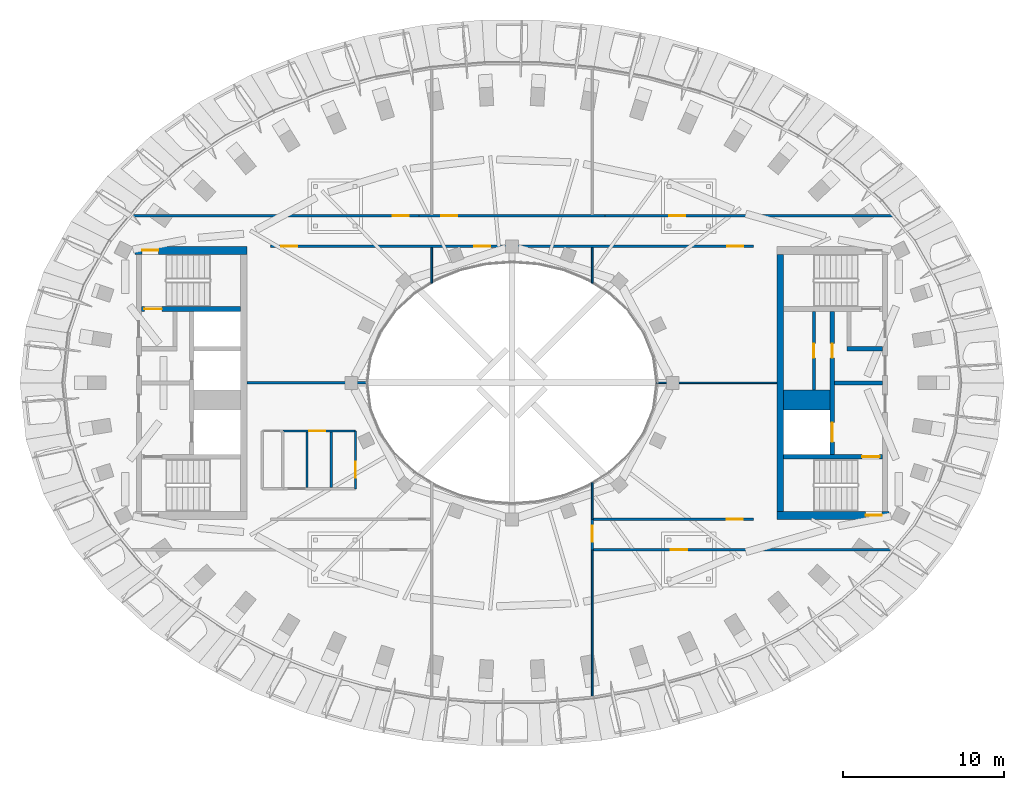
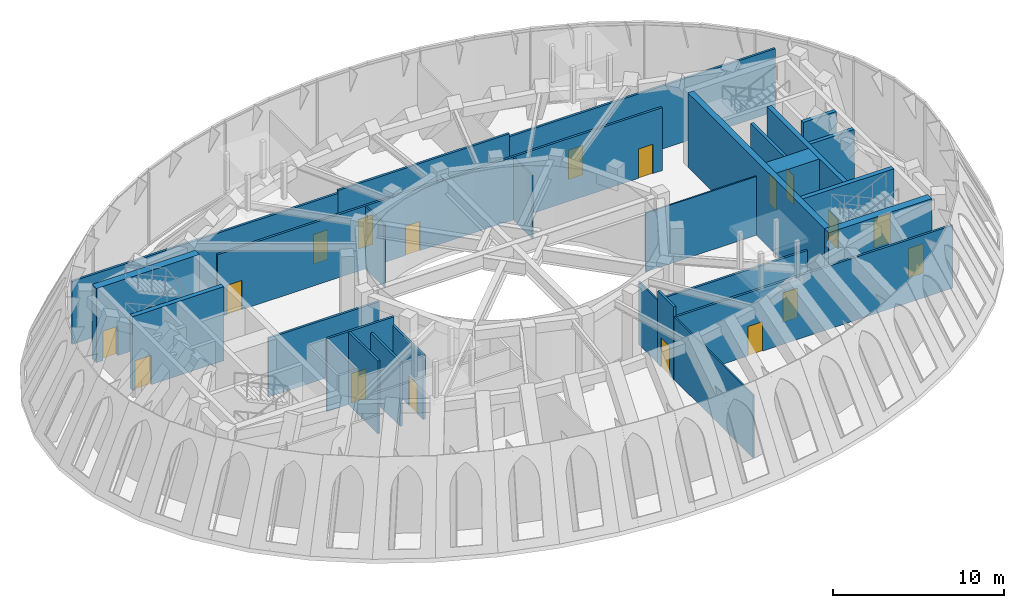
# One storey, part 4 of 13: 27 walls, 18 doors, 18 openings.
"""IFC4 building model written with IfcOpenShell, lengths in metres."""

from ifc_helpers import new_model, si_unit, direction, frame, frame_2d, origin, place, context, subcontext, project, spatial, rectangle, extrude, material, layer, layer_set, type_object, element, fill, save


model = new_model("IFC4")

# Units and contexts
model_context = context("Model", 3, precision=1e-05, world=origin(), true_north=direction((0.0, 1.0)))
body_context = subcontext(model_context, "Body", "Model", "MODEL_VIEW")
ifc_project = project(units=[si_unit("LENGTHUNIT", "METRE"), si_unit("AREAUNIT", "SQUARE_METRE"), si_unit("VOLUMEUNIT", "CUBIC_METRE"), si_unit("PLANEANGLEUNIT", "RADIAN"), si_unit("MASSUNIT", "GRAM", prefix="KILO")], contexts=[model_context])

# Site, building, storey
site_placement = place(None, origin())
site = spatial("IfcSite", under=ifc_project, at=site_placement, CompositionType="ELEMENT")
building_placement = place(site_placement, origin())
building = spatial("IfcBuilding", under=site, at=building_placement, Name="Noorbagh Ring Tower", CompositionType="ELEMENT")
storey_placement = place(building_placement, frame((0.0, 0.0, 351.0)))
storey = spatial("IfcBuildingStorey", under=building, at=storey_placement, Name="L77", CompositionType="ELEMENT", Elevation=351.0)

# Wall, opening, door
ifc_material_1 = material(Name="Gypsum board on steel studs", Category="steel")
ifc_layer_1 = layer(ifc_material_1, 0.199951171875)
ifc_layer_set_1 = layer_set([ifc_layer_1], Name="Gypsum board on steel studs")
wall_type_1 = type_object("IfcWallType", Name="CORE-PARTITION-200", PredefinedType="PARTITIONING", material=ifc_layer_set_1)
wall_1_placement = place(storey_placement, frame((18.800048828125, -0.449951171875, 0.0), z_axis=(0.0, 0.0, 1.0), x_axis=(0.0, 1.0, 0.0)))
wall_1 = element("IfcWall", 1, at=wall_1_placement, inside=storey, type_object=wall_type_1, Name="Core partition E", PredefinedType="PARTITIONING", context=body_context, shape_type="SweptSolid", body=[
    extrude(rectangle(XDim=4.89990234375, YDim=0.199951171875, at=frame_2d((2.449951171875, 0.0))), origin(), (0.0, 0.0, 1.0), 4.5),
])
opening_1_placement = place(wall_1_placement, frame((2.0, 0.0, 0.0)))
opening_1 = element("IfcOpeningElement", 2, at=opening_1_placement, cuts=wall_1, Name="Opening L77-CE10", PredefinedType="OPENING", context=body_context, shape_type="SweptSolid", body=[
    extrude(rectangle(XDim=0.89990234375, YDim=2.10009765625, at=frame_2d((0.449951171875, 1.050048828125))), frame((0.0, 0.10986328125, 0.0), z_axis=(0.0, -1.0, 0.0), x_axis=(1.0, 0.0, 0.0)), (0.0, 0.0, 1.0), 0.219970703125),
])
ifc_material_2 = material(Name="Steel door leaf", Category="steel")
door_type_1 = type_object("IfcDoorType", Name="CORE-DOOR-DROOM", OperationType="SINGLE_SWING_LEFT", PredefinedType="DOOR", material=ifc_material_2)
door_1_placement = place(opening_1_placement, origin())
door_1 = element("IfcDoor", 3, at=door_1_placement, inside=storey, type_object=door_type_1, Name="Core room door L77-CE10", OperationType="SINGLE_SWING_RIGHT", OverallHeight=2.10009765625, OverallWidth=0.89990234375, PredefinedType="DOOR", context=body_context, shape_type="SweptSolid", body=[
    extrude(rectangle(XDim=0.89990234375, YDim=2.10009765625, at=frame_2d((0.449951171875, 1.050048828125))), frame((0.0, 0.02490234375, 0.0), z_axis=(0.0, -1.0, 0.0), x_axis=(1.0, 0.0, 0.0)), (0.0, 0.0, 1.0), 0.050048828125),
])
fill(opening_1, door_1)

# Walls
ifc_material_3 = material(Name="Concrete C50/60", Category="concrete")
ifc_layer_2 = layer(ifc_material_3, 1.25)
ifc_layer_set_2 = layer_set([ifc_layer_2], Name="Concrete C50/60")
wall_type_2 = type_object("IfcWallType", Name="CORE-WALL-1250-C50-60-EI120", PredefinedType="SHEAR", material=ifc_layer_set_2)
wall_2_placement = place(storey_placement, frame((16.89990234375, -1.074951171875, 0.0), z_axis=(0.0, 0.0, 1.0), x_axis=(1.0, 0.0, 0.0)))
element("IfcWall", 4, at=wall_2_placement, inside=storey, type_object=wall_type_2, Name="Core wall E", PredefinedType="SHEAR", context=body_context, shape_type="SweptSolid", body=[
    extrude(rectangle(XDim=2.900146484375, YDim=1.25, at=frame_2d((1.4501953125, 0.0))), origin(), (0.0, 0.0, 1.0), 5.300048828125),
])
ifc_material_4 = material(Name="Concrete C50/60", Category="concrete")
ifc_layer_3 = layer(ifc_material_4, 0.25)
ifc_layer_set_3 = layer_set([ifc_layer_3], Name="Concrete C50/60")
wall_type_3 = type_object("IfcWallType", Name="CORE-WALL-250-C50-60-EI240", PredefinedType="SHEAR", material=ifc_layer_set_3)
wall_3_placement = place(storey_placement, frame((20.10009765625, 0.0, 0.0), z_axis=(0.0, 0.0, 1.0), x_axis=(1.0, 0.0, 0.0)))
element("IfcWall", 5, at=wall_3_placement, inside=storey, type_object=wall_type_3, Name="Core wall E", PredefinedType="SHEAR", context=body_context, shape_type="SweptSolid", body=[
    extrude(rectangle(XDim=2.97998046875, YDim=0.25, at=frame_2d((1.489990234375, 0.0))), origin(), (0.0, 0.0, 1.0), 5.300048828125),
])
wall_4_placement = place(storey_placement, frame((20.85009765625, 2.125, 0.0), z_axis=(0.0, 0.0, 1.0), x_axis=(1.0, 0.0, 0.0)))
element("IfcWall", 6, at=wall_4_placement, inside=storey, type_object=wall_type_3, Name="Core wall E", PredefinedType="SHEAR", context=body_context, shape_type="SweptSolid", body=[
    extrude(rectangle(XDim=2.22998046875, YDim=0.25, at=frame_2d((1.114990234375, 0.0))), origin(), (0.0, 0.0, 1.0), 5.300048828125),
])

# Wall, openings, doors
ifc_material_5 = material(Name="Concrete C50/60", Category="concrete")
ifc_layer_4 = layer(ifc_material_5, 0.300048828125)
ifc_layer_set_4 = layer_set([ifc_layer_4], Name="Concrete C50/60")
wall_type_4 = type_object("IfcWallType", Name="CORE-WALL-300-C50-60-EI120", PredefinedType="SHEAR", material=ifc_layer_set_4)
wall_5_placement = place(storey_placement, frame((19.949951171875, -4.449951171875, 0.0), z_axis=(0.0, 0.0, 1.0), x_axis=(0.0, 1.0, 0.0)))
wall_5 = element("IfcWall", 7, at=wall_5_placement, inside=storey, type_object=wall_type_4, Name="Core wall E", PredefinedType="SHEAR", context=body_context, shape_type="SweptSolid", body=[
    extrude(rectangle(XDim=8.89990234375, YDim=0.300048828125, at=frame_2d((4.449951171875, 0.0))), origin(), (0.0, 0.0, 1.0), 5.300048828125),
])
opening_2_placement = place(wall_5_placement, frame((0.77490234375, 0.0, 0.0)))
opening_2 = element("IfcOpeningElement", 8, at=opening_2_placement, cuts=wall_5, Name="Opening L77-CE01", PredefinedType="OPENING", context=body_context, shape_type="SweptSolid", body=[
    extrude(rectangle(XDim=1.199951171875, YDim=2.10009765625, at=frame_2d((0.60009765625, 1.050048828125))), frame((0.0, 0.16015625, 0.0), z_axis=(0.0, -1.0, 0.0), x_axis=(1.0, 0.0, 0.0)), (0.0, 0.0, 1.0), 0.320068359375),
])
opening_3_placement = place(wall_5_placement, frame((6.0, 0.0, 0.0)))
opening_3 = element("IfcOpeningElement", 9, at=opening_3_placement, cuts=wall_5, Name="Opening L77-CE09", PredefinedType="OPENING", context=body_context, shape_type="SweptSolid", body=[
    extrude(rectangle(XDim=0.89990234375, YDim=2.10009765625, at=frame_2d((0.449951171875, 1.050048828125))), frame((0.0, 0.16015625, 0.0), z_axis=(0.0, -1.0, 0.0), x_axis=(1.0, 0.0, 0.0)), (0.0, 0.0, 1.0), 0.320068359375),
])
door_2_placement = place(opening_3_placement, origin())
door_2 = element("IfcDoor", 10, at=door_2_placement, inside=storey, type_object=door_type_1, Name="Core room door L77-CE09", OperationType="SINGLE_SWING_RIGHT", OverallHeight=2.10009765625, OverallWidth=0.89990234375, PredefinedType="DOOR", context=body_context, shape_type="SweptSolid", body=[
    extrude(rectangle(XDim=0.89990234375, YDim=2.10009765625, at=frame_2d((0.449951171875, 1.050048828125))), frame((0.0, 0.02490234375, 0.0), z_axis=(0.0, -1.0, 0.0), x_axis=(1.0, 0.0, 0.0)), (0.0, 0.0, 1.0), 0.050048828125),
])
fill(opening_3, door_2)
ifc_material_6 = material(Name="Steel door leaf", Category="steel")
door_type_2 = type_object("IfcDoorType", Name="CORE-DOOR-LDW", OperationType="DOUBLE_DOOR_SLIDING", PredefinedType="DOOR", material=ifc_material_6)
door_3_placement = place(opening_2_placement, origin())
door_3 = element("IfcDoor", 11, at=door_3_placement, inside=storey, type_object=door_type_2, Name="Landing door FF2 L77-CE01", OperationType="DOUBLE_DOOR_SLIDING", OverallHeight=2.10009765625, OverallWidth=1.199951171875, PredefinedType="DOOR", context=body_context, shape_type="SweptSolid", body=[
    extrude(rectangle(XDim=1.199951171875, YDim=2.10009765625, at=frame_2d((0.60009765625, 1.050048828125))), frame((0.0, 0.02490234375, 0.0), z_axis=(0.0, -1.0, 0.0), x_axis=(1.0, 0.0, 0.0)), (0.0, 0.0, 1.0), 0.050048828125),
])
fill(opening_2, door_3)

# Wall, opening, door
ifc_material_7 = material(Name="Concrete C50/60", Category="concrete")
ifc_layer_5 = layer(ifc_material_7, 0.300048828125)
ifc_layer_set_5 = layer_set([ifc_layer_5], Name="Concrete C50/60")
wall_type_5 = type_object("IfcWallType", Name="CORE-WALL-300-C50-60-EI240", PredefinedType="SHEAR", material=ifc_layer_set_5)
wall_6_placement = place(storey_placement, frame((-16.89990234375, 4.60009765625, 0.0), z_axis=(0.0, 0.0, 1.0), x_axis=(-1.0, 0.0, 0.0)))
wall_6 = element("IfcWall", 12, at=wall_6_placement, inside=storey, type_object=wall_type_5, Name="Core wall W", PredefinedType="SHEAR", context=body_context, shape_type="SweptSolid", body=[
    extrude(rectangle(XDim=6.18017578125, YDim=0.300048828125, at=frame_2d((3.090087890625, 0.0))), origin(), (0.0, 0.0, 1.0), 5.300048828125),
])
opening_4_placement = place(wall_6_placement, frame((4.89990234375, 0.0, 0.0)))
opening_4 = element("IfcOpeningElement", 13, at=opening_4_placement, cuts=wall_6, Name="Opening L77-CW03", PredefinedType="OPENING", context=body_context, shape_type="SweptSolid", body=[
    extrude(rectangle(XDim=1.10009765625, YDim=2.10009765625, at=frame_2d((0.550048828125, 1.050048828125))), frame((0.0, 0.16015625, 0.0), z_axis=(0.0, -1.0, 0.0), x_axis=(1.0, 0.0, 0.0)), (0.0, 0.0, 1.0), 0.320068359375),
])
ifc_material_8 = material(Name="Steel door leaf", Category="steel")
door_type_3 = type_object("IfcDoorType", Name="CORE-DOOR-DSTAIR", OperationType="SINGLE_SWING_LEFT", PredefinedType="DOOR", material=ifc_material_8)
door_4_placement = place(opening_4_placement, origin())
door_4 = element("IfcDoor", 14, at=door_4_placement, inside=storey, type_object=door_type_3, Name="Stair door ST1 L77-CW03", OperationType="SINGLE_SWING_RIGHT", OverallHeight=2.10009765625, OverallWidth=1.10009765625, PredefinedType="DOOR", context=body_context, shape_type="SweptSolid", body=[
    extrude(rectangle(XDim=1.10009765625, YDim=2.10009765625, at=frame_2d((0.550048828125, 1.050048828125))), frame((0.0, 0.02490234375, 0.0), z_axis=(0.0, -1.0, 0.0), x_axis=(1.0, 0.0, 0.0)), (0.0, 0.0, 1.0), 0.050048828125),
])
fill(opening_4, door_4)

wall_7_placement = place(storey_placement, frame((16.89990234375, -4.60009765625, 0.0), z_axis=(0.0, 0.0, 1.0), x_axis=(1.0, 0.0, 0.0)))
wall_7 = element("IfcWall", 15, at=wall_7_placement, inside=storey, type_object=wall_type_5, Name="Core wall E", PredefinedType="SHEAR", context=body_context, shape_type="SweptSolid", body=[
    extrude(rectangle(XDim=6.18017578125, YDim=0.300048828125, at=frame_2d((3.090087890625, 0.0))), origin(), (0.0, 0.0, 1.0), 5.300048828125),
])
opening_5_placement = place(wall_7_placement, frame((4.89990234375, 0.0, 0.0)))
opening_5 = element("IfcOpeningElement", 16, at=opening_5_placement, cuts=wall_7, Name="Opening L77-CE03", PredefinedType="OPENING", context=body_context, shape_type="SweptSolid", body=[
    extrude(rectangle(XDim=1.10009765625, YDim=2.10009765625, at=frame_2d((0.550048828125, 1.050048828125))), frame((0.0, 0.16015625, 0.0), z_axis=(0.0, -1.0, 0.0), x_axis=(1.0, 0.0, 0.0)), (0.0, 0.0, 1.0), 0.320068359375),
])
door_5_placement = place(opening_5_placement, origin())
door_5 = element("IfcDoor", 17, at=door_5_placement, inside=storey, type_object=door_type_3, Name="Stair door ST4 L77-CE03", OperationType="SINGLE_SWING_RIGHT", OverallHeight=2.10009765625, OverallWidth=1.10009765625, PredefinedType="DOOR", context=body_context, shape_type="SweptSolid", body=[
    extrude(rectangle(XDim=1.10009765625, YDim=2.10009765625, at=frame_2d((0.550048828125, 1.050048828125))), frame((0.0, 0.02490234375, 0.0), z_axis=(0.0, -1.0, 0.0), x_axis=(1.0, 0.0, 0.0)), (0.0, 0.0, 1.0), 0.050048828125),
])
fill(opening_5, door_5)

# Wall
ifc_material_9 = material(Name="Concrete C50/60", Category="concrete")
ifc_layer_6 = layer(ifc_material_9, 0.39990234375)
ifc_layer_set_6 = layer_set([ifc_layer_6], Name="Concrete C50/60")
wall_type_6 = type_object("IfcWallType", Name="CORE-WALL-400-C50-60-EI240", PredefinedType="SHEAR", material=ifc_layer_set_6)
wall_8_placement = place(storey_placement, frame((16.699951171875, -8.0, 0.0), z_axis=(0.0, 0.0, 1.0), x_axis=(0.0, 1.0, 0.0)))
element("IfcWall", 18, at=wall_8_placement, inside=storey, type_object=wall_type_6, Name="Core wall E", PredefinedType="SHEAR", context=body_context, shape_type="SweptSolid", body=[
    extrude(rectangle(XDim=16.0, YDim=0.39990234375, at=frame_2d((8.0, 0.0))), origin(), (0.0, 0.0, 1.0), 5.300048828125),
])

# Wall, opening, door
ifc_material_10 = material(Name="Concrete C50/60", Category="concrete")
ifc_layer_7 = layer(ifc_material_10, 0.5)
ifc_layer_set_7 = layer_set([ifc_layer_7], Name="Concrete C50/60")
wall_type_7 = type_object("IfcWallType", Name="CORE-WALL-500-C50-60-EI240", PredefinedType="SHEAR", material=ifc_layer_set_7)
wall_9_placement = place(storey_placement, frame((-16.5, 8.25, 0.0), z_axis=(0.0, 0.0, 1.0), x_axis=(-1.0, 0.0, 0.0)))
wall_9 = element("IfcWall", 19, at=wall_9_placement, inside=storey, type_object=wall_type_7, Name="Core wall W", PredefinedType="SHEAR", context=body_context, shape_type="SweptSolid", body=[
    extrude(rectangle(XDim=6.9814453125, YDim=0.5, at=frame_2d((3.49072265625, 0.0))), origin(), (0.0, 0.0, 1.0), 5.300048828125),
])
opening_6_placement = place(wall_9_placement, frame((5.530029296875, 0.0, 0.0)))
opening_6 = element("IfcOpeningElement", 20, at=opening_6_placement, cuts=wall_9, Name="Opening L77-CW08", PredefinedType="OPENING", context=body_context, shape_type="SweptSolid", body=[
    extrude(rectangle(XDim=1.0, YDim=2.10009765625, at=frame_2d((0.5, 1.050048828125))), frame((0.0, 0.260009765625, 0.0), z_axis=(0.0, -1.0, 0.0), x_axis=(1.0, 0.0, 0.0)), (0.0, 0.0, 1.0), 0.52001953125),
])
ifc_material_11 = material(Name="Steel door leaf", Category="steel")
door_type_4 = type_object("IfcDoorType", Name="CORE-DOOR-DFLANK", OperationType="SINGLE_SWING_LEFT", PredefinedType="DOOR", material=ifc_material_11)
door_6_placement = place(opening_6_placement, origin())
door_6 = element("IfcDoor", 21, at=door_6_placement, inside=storey, type_object=door_type_4, Name="Stair door ST1 (floor side) L77-CW08", OperationType="SINGLE_SWING_LEFT", OverallHeight=2.10009765625, OverallWidth=1.0, PredefinedType="DOOR", context=body_context, shape_type="SweptSolid", body=[
    extrude(rectangle(XDim=1.0, YDim=2.10009765625, at=frame_2d((0.5, 1.050048828125))), frame((0.0, 0.02490234375, 0.0), z_axis=(0.0, -1.0, 0.0), x_axis=(1.0, 0.0, 0.0)), (0.0, 0.0, 1.0), 0.050048828125),
])
fill(opening_6, door_6)

wall_10_placement = place(storey_placement, frame((16.5, -8.25, 0.0), z_axis=(0.0, 0.0, 1.0), x_axis=(1.0, 0.0, 0.0)))
wall_10 = element("IfcWall", 22, at=wall_10_placement, inside=storey, type_object=wall_type_7, Name="Core wall E", PredefinedType="SHEAR", context=body_context, shape_type="SweptSolid", body=[
    extrude(rectangle(XDim=6.9814453125, YDim=0.5, at=frame_2d((3.49072265625, 0.0))), origin(), (0.0, 0.0, 1.0), 5.300048828125),
])
opening_7_placement = place(wall_10_placement, frame((5.530029296875, 0.0, 0.0)))
opening_7 = element("IfcOpeningElement", 23, at=opening_7_placement, cuts=wall_10, Name="Opening L77-CE08", PredefinedType="OPENING", context=body_context, shape_type="SweptSolid", body=[
    extrude(rectangle(XDim=1.0, YDim=2.10009765625, at=frame_2d((0.5, 1.050048828125))), frame((0.0, 0.260009765625, 0.0), z_axis=(0.0, -1.0, 0.0), x_axis=(1.0, 0.0, 0.0)), (0.0, 0.0, 1.0), 0.52001953125),
])
door_7_placement = place(opening_7_placement, origin())
door_7 = element("IfcDoor", 24, at=door_7_placement, inside=storey, type_object=door_type_4, Name="Stair door ST4 (floor side) L77-CE08", OperationType="SINGLE_SWING_LEFT", OverallHeight=2.10009765625, OverallWidth=1.0, PredefinedType="DOOR", context=body_context, shape_type="SweptSolid", body=[
    extrude(rectangle(XDim=1.0, YDim=2.10009765625, at=frame_2d((0.5, 1.050048828125))), frame((0.0, 0.02490234375, 0.0), z_axis=(0.0, -1.0, 0.0), x_axis=(1.0, 0.0, 0.0)), (0.0, 0.0, 1.0), 0.050048828125),
])
fill(opening_7, door_7)

ifc_material_12 = material(Name="Gypsum board on steel studs", Category="steel")
ifc_layer_8 = layer(ifc_material_12, 0.14990234375)
ifc_layer_set_8 = layer_set([ifc_layer_8], Name="Gypsum board on steel studs")
wall_type_8 = type_object("IfcWallType", Name="CORRIDOR PARTITION 150 EI 30", PredefinedType="PARTITIONING", material=ifc_layer_set_8)
wall_11_placement = place(storey_placement, frame((-23.77001953125, 10.39990234375, 0.0), z_axis=(0.0, 0.0, 1.0), x_axis=(1.0, 0.0, 0.0)))
wall_11 = element("IfcWall", 25, at=wall_11_placement, inside=storey, type_object=wall_type_8, Name="L77/wall/P02", PredefinedType="PARTITIONING", context=body_context, shape_type="SweptSolid", body=[
    extrude(rectangle(XDim=17.97998046875, YDim=0.14990234375, at=frame_2d((8.989990234375, 0.0))), origin(), (0.0, 0.0, 1.0), 4.5),
])
opening_8_placement = place(wall_11_placement, frame((16.330078125, 0.0, 0.0)))
opening_8 = element("IfcOpeningElement", 26, at=opening_8_placement, cuts=wall_11, Name="Opening D1", PredefinedType="OPENING", context=body_context, shape_type="SweptSolid", body=[
    extrude(rectangle(XDim=1.0, YDim=2.10009765625, at=frame_2d((0.5, 1.050048828125))), frame((0.0, 0.0849609375, 0.0), z_axis=(0.0, -1.0, 0.0), x_axis=(1.0, 0.0, 0.0)), (0.0, 0.0, 1.0), 0.169921875),
])
ifc_material_13 = material(Name="Timber, painted", Category="wood")
door_type_5 = type_object("IfcDoorType", Name="DOOR 1000 X 2100 FD30", OperationType="SINGLE_SWING_LEFT", PredefinedType="DOOR", material=ifc_material_13)
door_8_placement = place(opening_8_placement, origin())
door_8 = element("IfcDoor", 27, at=door_8_placement, inside=storey, type_object=door_type_5, Name="L77-D13", OperationType="SINGLE_SWING_LEFT", OverallHeight=2.10009765625, OverallWidth=1.0, PredefinedType="DOOR", context=body_context, shape_type="SweptSolid", body=[
    extrude(rectangle(XDim=1.0, YDim=2.10009765625, at=frame_2d((0.5, 1.050048828125))), frame((0.0, 0.02490234375, 0.0), z_axis=(0.0, -1.0, 0.0), x_axis=(1.0, 0.0, 0.0)), (0.0, 0.0, 1.0), 0.050048828125),
])
fill(opening_8, door_8)

# Wall
wall_12_placement = place(storey_placement, frame((-16.5, 0.0, 0.0), z_axis=(0.0, 0.0, 1.0), x_axis=(1.0, 0.0, 0.0)))
element("IfcWall", 28, at=wall_12_placement, inside=storey, type_object=wall_type_8, Name="L77/wall/P03", PredefinedType="PARTITIONING", context=body_context, shape_type="SweptSolid", body=[
    extrude(rectangle(XDim=7.4951171875, YDim=0.14990234375, at=frame_2d((3.74755859375, 0.0))), origin(), (0.0, 0.0, 1.0), 4.199951171875),
])

# Wall, openings, doors
wall_13_placement = place(storey_placement, frame((-15.035888671875, 8.5, 0.0), z_axis=(0.0, 0.0, 1.0), x_axis=(1.0, 0.0, 0.0)))
wall_13 = element("IfcWall", 29, at=wall_13_placement, inside=storey, type_object=wall_type_8, Name="L77/wall/P08", PredefinedType="PARTITIONING", context=body_context, shape_type="SweptSolid", body=[
    extrude(rectangle(XDim=30.07177734375, YDim=0.14990234375, at=frame_2d((15.035888671875, 0.0))), origin(), (0.0, 0.0, 1.0), 4.5),
])
opening_9_placement = place(wall_13_placement, frame((0.64990234375, 0.0, 0.0)))
opening_9 = element("IfcOpeningElement", 30, at=opening_9_placement, cuts=wall_13, Name="Opening D1", PredefinedType="OPENING", context=body_context, shape_type="SweptSolid", body=[
    extrude(rectangle(XDim=1.0, YDim=2.10009765625, at=frame_2d((0.5, 1.050048828125))), frame((0.0, 0.0849609375, 0.0), z_axis=(0.0, -1.0, 0.0), x_axis=(1.0, 0.0, 0.0)), (0.0, 0.0, 1.0), 0.169921875),
])
opening_10_placement = place(wall_13_placement, frame((12.68603515625, 0.0, 0.0)))
opening_10 = element("IfcOpeningElement", 31, at=opening_10_placement, cuts=wall_13, Name="Opening D1", PredefinedType="OPENING", context=body_context, shape_type="SweptSolid", body=[
    extrude(rectangle(XDim=1.0, YDim=2.10009765625, at=frame_2d((0.5, 1.050048828125))), frame((0.0, 0.0849609375, 0.0), z_axis=(0.0, -1.0, 0.0), x_axis=(1.0, 0.0, 0.0)), (0.0, 0.0, 1.0), 0.169921875),
])
opening_11_placement = place(wall_13_placement, frame((28.43603515625, 0.0, 0.0)))
opening_11 = element("IfcOpeningElement", 32, at=opening_11_placement, cuts=wall_13, Name="Opening D1", PredefinedType="OPENING", context=body_context, shape_type="SweptSolid", body=[
    extrude(rectangle(XDim=1.0, YDim=2.10009765625, at=frame_2d((0.5, 1.050048828125))), frame((0.0, 0.0849609375, 0.0), z_axis=(0.0, -1.0, 0.0), x_axis=(1.0, 0.0, 0.0)), (0.0, 0.0, 1.0), 0.169921875),
])
door_9_placement = place(opening_9_placement, origin())
door_9 = element("IfcDoor", 33, at=door_9_placement, inside=storey, type_object=door_type_5, Name="L77-D07", OperationType="SINGLE_SWING_LEFT", OverallHeight=2.10009765625, OverallWidth=1.0, PredefinedType="DOOR", context=body_context, shape_type="SweptSolid", body=[
    extrude(rectangle(XDim=1.0, YDim=2.10009765625, at=frame_2d((0.5, 1.050048828125))), frame((0.0, 0.02490234375, 0.0), z_axis=(0.0, -1.0, 0.0), x_axis=(1.0, 0.0, 0.0)), (0.0, 0.0, 1.0), 0.050048828125),
])
fill(opening_9, door_9)
door_10_placement = place(opening_10_placement, origin())
door_10 = element("IfcDoor", 34, at=door_10_placement, inside=storey, type_object=door_type_5, Name="L77-D09", OperationType="SINGLE_SWING_LEFT", OverallHeight=2.10009765625, OverallWidth=1.0, PredefinedType="DOOR", context=body_context, shape_type="SweptSolid", body=[
    extrude(rectangle(XDim=1.0, YDim=2.10009765625, at=frame_2d((0.5, 1.050048828125))), frame((0.0, 0.02490234375, 0.0), z_axis=(0.0, -1.0, 0.0), x_axis=(1.0, 0.0, 0.0)), (0.0, 0.0, 1.0), 0.050048828125),
])
fill(opening_10, door_10)
door_11_placement = place(opening_11_placement, origin())
door_11 = element("IfcDoor", 35, at=door_11_placement, inside=storey, type_object=door_type_5, Name="L77-D12", OperationType="SINGLE_SWING_RIGHT", OverallHeight=2.10009765625, OverallWidth=1.0, PredefinedType="DOOR", context=body_context, shape_type="SweptSolid", body=[
    extrude(rectangle(XDim=1.0, YDim=2.10009765625, at=frame_2d((0.5, 1.050048828125))), frame((0.0, 0.02490234375, 0.0), z_axis=(0.0, -1.0, 0.0), x_axis=(1.0, 0.0, 0.0)), (0.0, 0.0, 1.0), 0.050048828125),
])
fill(opening_11, door_11)

# Wall, opening, door
wall_14_placement = place(storey_placement, frame((-14.27294921875, -3.0, 0.0), z_axis=(0.0, 0.0, 1.0), x_axis=(1.0, 0.0, 0.0)))
wall_14 = element("IfcWall", 36, at=wall_14_placement, inside=storey, type_object=wall_type_8, Name="L77/wall/P11", PredefinedType="PARTITIONING", context=body_context, shape_type="SweptSolid", body=[
    extrude(rectangle(XDim=4.52001953125, YDim=0.14990234375, at=frame_2d((2.260009765625, 0.0))), origin(), (0.0, 0.0, 1.0), 5.199951171875),
])
opening_12_placement = place(wall_14_placement, frame((1.657958984375, 0.0, 0.0)))
opening_12 = element("IfcOpeningElement", 37, at=opening_12_placement, cuts=wall_14, Name="Opening D3", PredefinedType="OPENING", context=body_context, shape_type="SweptSolid", body=[
    extrude(rectangle(XDim=1.0, YDim=2.10009765625, at=frame_2d((0.5, 1.050048828125))), frame((0.0, 0.0849609375, 0.0), z_axis=(0.0, -1.0, 0.0), x_axis=(1.0, 0.0, 0.0)), (0.0, 0.0, 1.0), 0.169921875),
])
ifc_material_14 = material(Name="Timber, painted", Category="wood")
door_type_6 = type_object("IfcDoorType", Name="DOOR 1000 X 2100 WC", OperationType="SINGLE_SWING_LEFT", PredefinedType="DOOR", material=ifc_material_14)
door_12_placement = place(opening_12_placement, origin())
door_12 = element("IfcDoor", 38, at=door_12_placement, inside=storey, type_object=door_type_6, Name="L77-D03", OperationType="SINGLE_SWING_LEFT", OverallHeight=2.10009765625, OverallWidth=1.0, PredefinedType="DOOR", context=body_context, shape_type="SweptSolid", body=[
    extrude(rectangle(XDim=1.0, YDim=2.10009765625, at=frame_2d((0.5, 1.050048828125))), frame((0.0, 0.02490234375, 0.0), z_axis=(0.0, -1.0, 0.0), x_axis=(1.0, 0.0, 0.0)), (0.0, 0.0, 1.0), 0.050048828125),
])
fill(opening_12, door_12)

# Walls
wall_15_placement = place(storey_placement, frame((-12.764892578125, -6.52490234375, 0.0), z_axis=(0.0, 0.0, 1.0), x_axis=(0.0, 1.0, 0.0)))
element("IfcWall", 39, at=wall_15_placement, inside=storey, type_object=wall_type_8, Name="L77/wall/P12", PredefinedType="PARTITIONING", context=body_context, shape_type="SweptSolid", body=[
    extrude(rectangle(XDim=3.449951171875, YDim=0.14990234375, at=frame_2d((1.72509765625, 0.0))), origin(), (0.0, 0.0, 1.0), 5.199951171875),
])
wall_16_placement = place(storey_placement, frame((-11.257080078125, -6.52490234375, 0.0), z_axis=(0.0, 0.0, 1.0), x_axis=(0.0, 1.0, 0.0)))
element("IfcWall", 40, at=wall_16_placement, inside=storey, type_object=wall_type_8, Name="L77/wall/P13", PredefinedType="PARTITIONING", context=body_context, shape_type="SweptSolid", body=[
    extrude(rectangle(XDim=3.449951171875, YDim=0.14990234375, at=frame_2d((1.72509765625, 0.0))), origin(), (0.0, 0.0, 1.0), 4.60009765625),
])

# Wall, opening, door
wall_17_placement = place(storey_placement, frame((-9.7490234375, -6.60009765625, 0.0), z_axis=(0.0, 0.0, 1.0), x_axis=(0.0, 1.0, 0.0)))
wall_17 = element("IfcWall", 41, at=wall_17_placement, inside=storey, type_object=wall_type_8, Name="L77/wall/P14", PredefinedType="PARTITIONING", context=body_context, shape_type="SweptSolid", body=[
    extrude(rectangle(XDim=3.59619140625, YDim=0.14990234375, at=frame_2d((1.798095703125, 0.0))), origin(), (0.0, 0.0, 1.0), 4.60009765625),
])
opening_13_placement = place(wall_17_placement, frame((0.696044921875, 0.0, 0.0)))
opening_13 = element("IfcOpeningElement", 42, at=opening_13_placement, cuts=wall_17, Name="Opening D3", PredefinedType="OPENING", context=body_context, shape_type="SweptSolid", body=[
    extrude(rectangle(XDim=1.0, YDim=2.10009765625, at=frame_2d((0.5, 1.050048828125))), frame((0.0, 0.0849609375, 0.0), z_axis=(0.0, -1.0, 0.0), x_axis=(1.0, 0.0, 0.0)), (0.0, 0.0, 1.0), 0.169921875),
])
door_13_placement = place(opening_13_placement, origin())
door_13 = element("IfcDoor", 43, at=door_13_placement, inside=storey, type_object=door_type_6, Name="L77-D02", OperationType="SINGLE_SWING_RIGHT", OverallHeight=2.10009765625, OverallWidth=1.0, PredefinedType="DOOR", context=body_context, shape_type="SweptSolid", body=[
    extrude(rectangle(XDim=1.0, YDim=2.10009765625, at=frame_2d((0.5, 1.050048828125))), frame((0.0, 0.02490234375, 0.0), z_axis=(0.0, -1.0, 0.0), x_axis=(1.0, 0.0, 0.0)), (0.0, 0.0, 1.0), 0.050048828125),
])
fill(opening_13, door_13)

wall_18_placement = place(storey_placement, frame((-5.7900390625, 10.409912109375, 0.0), z_axis=(0.0, 0.0, 1.0), x_axis=(1.0, 0.0, 0.0)))
wall_18 = element("IfcWall", 44, at=wall_18_placement, inside=storey, type_object=wall_type_8, Name="L77/wall/P15", PredefinedType="PARTITIONING", context=body_context, shape_type="SweptSolid", body=[
    extrude(rectangle(XDim=11.580078125, YDim=0.14990234375, at=frame_2d((5.7900390625, 0.0))), origin(), (0.0, 0.0, 1.0), 4.699951171875),
])
opening_14_placement = place(wall_18_placement, frame((1.389892578125, 0.0, 0.0)))
opening_14 = element("IfcOpeningElement", 45, at=opening_14_placement, cuts=wall_18, Name="Opening D1", PredefinedType="OPENING", context=body_context, shape_type="SweptSolid", body=[
    extrude(rectangle(XDim=1.0, YDim=2.10009765625, at=frame_2d((0.5, 1.050048828125))), frame((0.0, 0.0849609375, 0.0), z_axis=(0.0, -1.0, 0.0), x_axis=(1.0, 0.0, 0.0)), (0.0, 0.0, 1.0), 0.169921875),
])
door_14_placement = place(opening_14_placement, origin())
door_14 = element("IfcDoor", 46, at=door_14_placement, inside=storey, type_object=door_type_5, Name="L77-D14", OperationType="SINGLE_SWING_RIGHT", OverallHeight=2.10009765625, OverallWidth=1.0, PredefinedType="DOOR", context=body_context, shape_type="SweptSolid", body=[
    extrude(rectangle(XDim=1.0, YDim=2.10009765625, at=frame_2d((0.5, 1.050048828125))), frame((0.0, 0.02490234375, 0.0), z_axis=(0.0, -1.0, 0.0), x_axis=(1.0, 0.0, 0.0)), (0.0, 0.0, 1.0), 0.050048828125),
])
fill(opening_14, door_14)

wall_19_placement = place(storey_placement, frame((5.0, -10.39990234375, 0.0), z_axis=(0.0, 0.0, 1.0), x_axis=(0.0, 1.0, 0.0)))
wall_19 = element("IfcWall", 47, at=wall_19_placement, inside=storey, type_object=wall_type_8, Name="L77/wall/P21", PredefinedType="PARTITIONING", context=body_context, shape_type="SweptSolid", body=[
    extrude(rectangle(XDim=1.89990234375, YDim=0.14990234375, at=frame_2d((0.949951171875, 0.0))), origin(), (0.0, 0.0, 1.0), 5.199951171875),
])
opening_15_placement = place(wall_19_placement, frame((0.5, 0.0, 0.0)))
opening_15 = element("IfcOpeningElement", 48, at=opening_15_placement, cuts=wall_19, Name="Opening D1", PredefinedType="OPENING", context=body_context, shape_type="SweptSolid", body=[
    extrude(rectangle(XDim=1.0, YDim=2.10009765625, at=frame_2d((0.5, 1.050048828125))), frame((0.0, 0.0849609375, 0.0), z_axis=(0.0, -1.0, 0.0), x_axis=(1.0, 0.0, 0.0)), (0.0, 0.0, 1.0), 0.169921875),
])
door_15_placement = place(opening_15_placement, origin())
door_15 = element("IfcDoor", 49, at=door_15_placement, inside=storey, type_object=door_type_5, Name="L77-D08", OperationType="SINGLE_SWING_RIGHT", OverallHeight=2.10009765625, OverallWidth=1.0, PredefinedType="DOOR", context=body_context, shape_type="SweptSolid", body=[
    extrude(rectangle(XDim=1.0, YDim=2.10009765625, at=frame_2d((0.5, 1.050048828125))), frame((0.0, 0.02490234375, 0.0), z_axis=(0.0, -1.0, 0.0), x_axis=(1.0, 0.0, 0.0)), (0.0, 0.0, 1.0), 0.050048828125),
])
fill(opening_15, door_15)

wall_20_placement = place(storey_placement, frame((5.0, -10.39990234375, 0.0), z_axis=(0.0, 0.0, 1.0), x_axis=(1.0, 0.0, 0.0)))
wall_20 = element("IfcWall", 50, at=wall_20_placement, inside=storey, type_object=wall_type_8, Name="L77/wall/P22", PredefinedType="PARTITIONING", context=body_context, shape_type="SweptSolid", body=[
    extrude(rectangle(XDim=18.77001953125, YDim=0.14990234375, at=frame_2d((9.385009765625, 0.0))), origin(), (0.0, 0.0, 1.0), 4.5),
])
opening_16_placement = place(wall_20_placement, frame((4.89990234375, 0.0, 0.0)))
opening_16 = element("IfcOpeningElement", 51, at=opening_16_placement, cuts=wall_20, Name="Opening D1", PredefinedType="OPENING", context=body_context, shape_type="SweptSolid", body=[
    extrude(rectangle(XDim=1.0, YDim=2.10009765625, at=frame_2d((0.5, 1.050048828125))), frame((0.0, 0.0849609375, 0.0), z_axis=(0.0, -1.0, 0.0), x_axis=(1.0, 0.0, 0.0)), (0.0, 0.0, 1.0), 0.169921875),
])
door_16_placement = place(opening_16_placement, origin())
door_16 = element("IfcDoor", 52, at=door_16_placement, inside=storey, type_object=door_type_5, Name="L77-D10", OperationType="SINGLE_SWING_LEFT", OverallHeight=2.10009765625, OverallWidth=1.0, PredefinedType="DOOR", context=body_context, shape_type="SweptSolid", body=[
    extrude(rectangle(XDim=1.0, YDim=2.10009765625, at=frame_2d((0.5, 1.050048828125))), frame((0.0, 0.02490234375, 0.0), z_axis=(0.0, -1.0, 0.0), x_axis=(1.0, 0.0, 0.0)), (0.0, 0.0, 1.0), 0.050048828125),
])
fill(opening_16, door_16)

wall_21_placement = place(storey_placement, frame((5.0, -8.5, 0.0), z_axis=(0.0, 0.0, 1.0), x_axis=(1.0, 0.0, 0.0)))
wall_21 = element("IfcWall", 53, at=wall_21_placement, inside=storey, type_object=wall_type_8, Name="L77/wall/P24", PredefinedType="PARTITIONING", context=body_context, shape_type="SweptSolid", body=[
    extrude(rectangle(XDim=10.035888671875, YDim=0.14990234375, at=frame_2d((5.01806640625, 0.0))), origin(), (0.0, 0.0, 1.0), 4.60009765625),
])
opening_17_placement = place(wall_21_placement, frame((8.385986328125, 0.0, 0.0)))
opening_17 = element("IfcOpeningElement", 54, at=opening_17_placement, cuts=wall_21, Name="Opening D1", PredefinedType="OPENING", context=body_context, shape_type="SweptSolid", body=[
    extrude(rectangle(XDim=1.0, YDim=2.10009765625, at=frame_2d((0.5, 1.050048828125))), frame((0.0, 0.0849609375, 0.0), z_axis=(0.0, -1.0, 0.0), x_axis=(1.0, 0.0, 0.0)), (0.0, 0.0, 1.0), 0.169921875),
])
door_17_placement = place(opening_17_placement, origin())
door_17 = element("IfcDoor", 55, at=door_17_placement, inside=storey, type_object=door_type_5, Name="L77-D11", OperationType="SINGLE_SWING_LEFT", OverallHeight=2.10009765625, OverallWidth=1.0, PredefinedType="DOOR", context=body_context, shape_type="SweptSolid", body=[
    extrude(rectangle(XDim=1.0, YDim=2.10009765625, at=frame_2d((0.5, 1.050048828125))), frame((0.0, 0.02490234375, 0.0), z_axis=(0.0, -1.0, 0.0), x_axis=(1.0, 0.0, 0.0)), (0.0, 0.0, 1.0), 0.050048828125),
])
fill(opening_17, door_17)

wall_22_placement = place(storey_placement, frame((5.7900390625, 10.39990234375, 0.0), z_axis=(0.0, 0.0, 1.0), x_axis=(1.0, 0.0, 0.0)))
wall_22 = element("IfcWall", 56, at=wall_22_placement, inside=storey, type_object=wall_type_8, Name="L77/wall/P27", PredefinedType="PARTITIONING", context=body_context, shape_type="SweptSolid", body=[
    extrude(rectangle(XDim=17.97998046875, YDim=0.14990234375, at=frame_2d((8.989990234375, 0.0))), origin(), (0.0, 0.0, 1.0), 4.5),
])
opening_18_placement = place(wall_22_placement, frame((4.014892578125, 0.0, 0.0)))
opening_18 = element("IfcOpeningElement", 57, at=opening_18_placement, cuts=wall_22, Name="Opening D1", PredefinedType="OPENING", context=body_context, shape_type="SweptSolid", body=[
    extrude(rectangle(XDim=1.0, YDim=2.10009765625, at=frame_2d((0.5, 1.050048828125))), frame((0.0, 0.0849609375, 0.0), z_axis=(0.0, -1.0, 0.0), x_axis=(1.0, 0.0, 0.0)), (0.0, 0.0, 1.0), 0.169921875),
])
door_18_placement = place(opening_18_placement, origin())
door_18 = element("IfcDoor", 58, at=door_18_placement, inside=storey, type_object=door_type_5, Name="L77-D15", OperationType="SINGLE_SWING_RIGHT", OverallHeight=2.10009765625, OverallWidth=1.0, PredefinedType="DOOR", context=body_context, shape_type="SweptSolid", body=[
    extrude(rectangle(XDim=1.0, YDim=2.10009765625, at=frame_2d((0.5, 1.050048828125))), frame((0.0, 0.02490234375, 0.0), z_axis=(0.0, -1.0, 0.0), x_axis=(1.0, 0.0, 0.0)), (0.0, 0.0, 1.0), 0.050048828125),
])
fill(opening_18, door_18)

# Walls
ifc_material_15 = material(Name="Gypsum board on steel studs", Category="steel")
ifc_layer_9 = layer(ifc_material_15, 0.10009765625)
ifc_layer_set_9 = layer_set([ifc_layer_9], Name="Gypsum board on steel studs")
wall_type_9 = type_object("IfcWallType", Name="PARTITION 100 GYPSUM", PredefinedType="PARTITIONING", material=ifc_layer_set_9)
wall_23_placement = place(storey_placement, frame((-5.0, 6.2109375, 0.0), z_axis=(0.0, 0.0, 1.0), x_axis=(0.0, 1.0, 0.0)))
element("IfcWall", 59, at=wall_23_placement, inside=storey, type_object=wall_type_9, Name="L77/wall/P18", PredefinedType="PARTITIONING", context=body_context, shape_type="SweptSolid", body=[
    extrude(rectangle(XDim=2.214111328125, YDim=0.10009765625, at=frame_2d((1.10693359375, 0.0))), origin(), (0.0, 0.0, 1.0), 4.5),
])
wall_24_placement = place(storey_placement, frame((5.0, -19.6201171875, 0.0), z_axis=(0.0, 0.0, 1.0), x_axis=(0.0, 1.0, 0.0)))
element("IfcWall", 60, at=wall_24_placement, inside=storey, type_object=wall_type_9, Name="L77/wall/P20", PredefinedType="PARTITIONING", context=body_context, shape_type="SweptSolid", body=[
    extrude(rectangle(XDim=9.22021484375, YDim=0.10009765625, at=frame_2d((4.610107421875, 0.0))), origin(), (0.0, 0.0, 1.0), 4.5),
])
wall_25_placement = place(storey_placement, frame((5.0, -8.5, 0.0), z_axis=(0.0, 0.0, 1.0), x_axis=(0.0, 1.0, 0.0)))
element("IfcWall", 61, at=wall_25_placement, inside=storey, type_object=wall_type_9, Name="L77/wall/P23", PredefinedType="PARTITIONING", context=body_context, shape_type="SweptSolid", body=[
    extrude(rectangle(XDim=2.2890625, YDim=0.10009765625, at=frame_2d((1.14453125, 0.0))), origin(), (0.0, 0.0, 1.0), 4.5),
])
wall_26_placement = place(storey_placement, frame((5.0, 6.2109375, 0.0), z_axis=(0.0, 0.0, 1.0), x_axis=(0.0, 1.0, 0.0)))
element("IfcWall", 62, at=wall_26_placement, inside=storey, type_object=wall_type_9, Name="L77/wall/P25", PredefinedType="PARTITIONING", context=body_context, shape_type="SweptSolid", body=[
    extrude(rectangle(XDim=2.214111328125, YDim=0.10009765625, at=frame_2d((1.10693359375, 0.0))), origin(), (0.0, 0.0, 1.0), 4.5),
])
wall_27_placement = place(storey_placement, frame((9.0048828125, 0.0, 0.0), z_axis=(0.0, 0.0, 1.0), x_axis=(1.0, 0.0, 0.0)))
element("IfcWall", 63, at=wall_27_placement, inside=storey, type_object=wall_type_9, Name="L77/wall/P28", PredefinedType="PARTITIONING", context=body_context, shape_type="SweptSolid", body=[
    extrude(rectangle(XDim=7.4951171875, YDim=0.10009765625, at=frame_2d((3.74755859375, 0.0))), origin(), (0.0, 0.0, 1.0), 4.199951171875),
])

save(model, "model.ifc")
